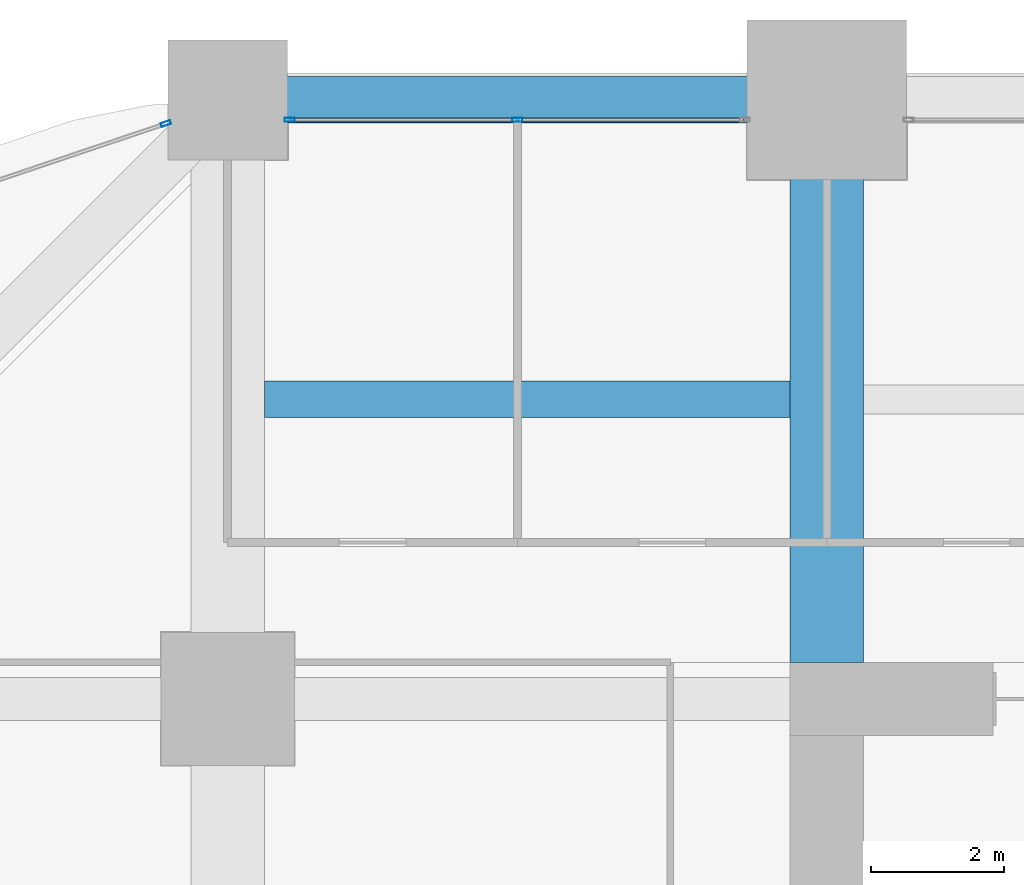
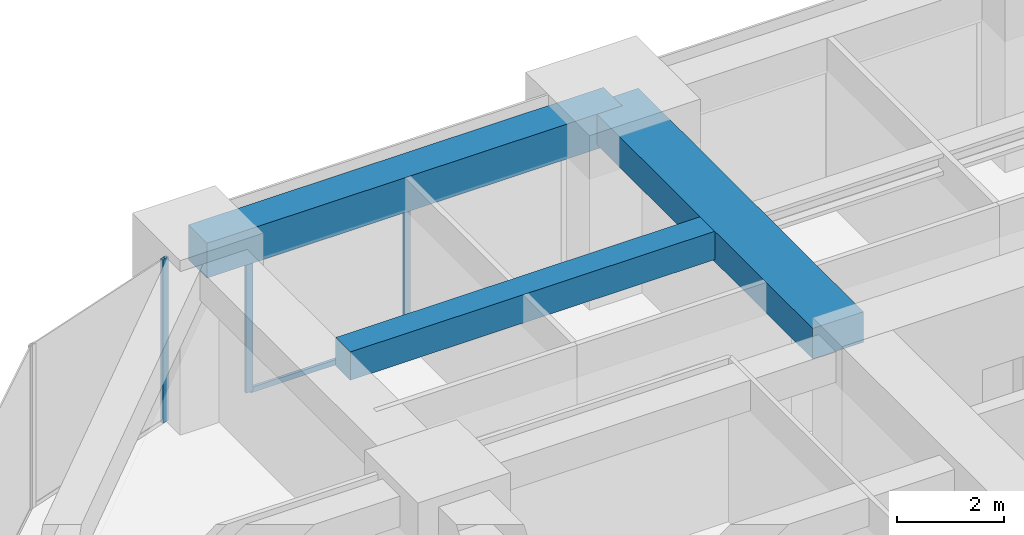
# One storey, part 27 of 40: 4 members, 3 beams, 2 elements without a shape of their own.
"""IFC4 building model written with IfcOpenShell, lengths in metres."""

import ifcopenshell
import ifcopenshell.guid

model = None  # the IFC model being written
_history = None  # IfcOwnerHistory: only IFC2X3 demands one
_inside = {}  # id of a spatial element -> (the spatial element, [elements in it])
_under = {}  # id of a project, library or spatial element -> (it, [spatial elements below it])
_declared = {}  # id of a project -> (the project, [libraries it declares])
_typed = {}  # id of a type object -> (the type object, [elements of that type])
_made_of = {}  # id of a material, layer set ... -> (it, [elements and type objects made of it])


def new_model(schema):
    """Start an empty IFC model of exactly this schema.

    Asked for "IFC4X3", IfcOpenShell would pick the latest addendum, in which some entities
    have other attributes; the version numbers below select the first issue.
    IFC2X3 requires an IfcOwnerHistory on every rooted entity: one is made here for all.
    """
    global model, _history
    if schema == "IFC4X3":
        model = ifcopenshell.file(schema_version=(4, 3, 0, 0))
    else:
        model = ifcopenshell.file(schema=schema)
    _inside.clear()
    _under.clear()
    _declared.clear()
    _typed.clear()
    _made_of.clear()
    _history = None
    if model.schema == "IFC2X3":
        org = make("IfcOrganization", Name="unknown")
        user = make(
            "IfcPersonAndOrganization",
            ThePerson=make("IfcPerson", FamilyName="unknown"),
            TheOrganization=org,
        )
        app = make(
            "IfcApplication",
            ApplicationDeveloper=org,
            Version="unknown",
            ApplicationFullName="unknown",
            ApplicationIdentifier="unknown",
        )
        _history = make(
            "IfcOwnerHistory",
            OwningUser=user,
            OwningApplication=app,
            ChangeAction="ADDED",
            CreationDate=0,
        )
    return model


def make(cls, **values):
    """One entity of the class cls with the attributes given. An attribute that is None is left unset."""
    return model.create_entity(
        cls, **{name: value for name, value in values.items() if value is not None}
    )


def rooted(cls, **values):
    """An entity with a GlobalId (a new one), such as an element, a storey or a relation."""
    return make(cls, GlobalId=ifcopenshell.guid.new(), OwnerHistory=_history, **values)


def si_unit(unit_type, name, prefix=None):
    """IfcSIUnit, for example si_unit("LENGTHUNIT", "METRE", prefix="MILLI")."""
    return make("IfcSIUnit", UnitType=unit_type, Prefix=prefix, Name=name)


def assignment(units):
    """IfcUnitAssignment: the units of a project."""
    return None if units is None else make("IfcUnitAssignment", Units=units)


def point(xyz):
    """IfcCartesianPoint."""
    return None if xyz is None else make("IfcCartesianPoint", Coordinates=xyz)


def direction(xyz):
    """IfcDirection."""
    return None if xyz is None else make("IfcDirection", DirectionRatios=xyz)


def frame(location, z_axis=None, x_axis=None):
    """IfcAxis2Placement3D, a coordinate frame: its origin and axes. An axis left out is left unset."""
    return make(
        "IfcAxis2Placement3D",
        Location=point(location),
        Axis=direction(z_axis),
        RefDirection=direction(x_axis),
    )


def frame_2d(location, x_axis=None):
    """IfcAxis2Placement2D, a coordinate frame in the plane: its origin and x axis."""
    return make(
        "IfcAxis2Placement2D", Location=point(location), RefDirection=direction(x_axis)
    )


def origin():
    """The frame at (0, 0, 0) with its axes left unset."""
    return frame((0.0, 0.0, 0.0))


def origin_2d():
    """The frame at (0, 0) in the plane with its x axis left unset."""
    return frame_2d((0.0, 0.0))


def place(relative_to, where):
    """IfcLocalPlacement: puts the frame where relative to a parent placement (None: the world)."""
    return make(
        "IfcLocalPlacement", PlacementRelTo=relative_to, RelativePlacement=where
    )


def context(
    kind, dimensions, precision=None, world=None, true_north=None, identifier=None
):
    """IfcGeometricRepresentationContext, for example the 3D "Model" context."""
    return make(
        "IfcGeometricRepresentationContext",
        ContextIdentifier=identifier,
        ContextType=kind,
        CoordinateSpaceDimension=dimensions,
        Precision=precision,
        WorldCoordinateSystem=world,
        TrueNorth=true_north,
    )


def subcontext(parent, identifier, kind, view, scale=None):
    """IfcGeometricRepresentationSubContext, for example "Body" below "Model"."""
    return make(
        "IfcGeometricRepresentationSubContext",
        ContextIdentifier=identifier,
        ContextType=kind,
        ParentContext=parent,
        TargetScale=scale,
        TargetView=view,
    )


def project(units=None, contexts=None):
    """IfcProject with its units and contexts."""
    return rooted(
        "IfcProject",
        Name="project",
        RepresentationContexts=contexts,
        UnitsInContext=assignment(units),
    )


def spatial(cls, under=None, at=None, **own):
    """A site, building, storey or space (cls), placed at a placement, below another one or the project."""
    s = rooted(cls, ObjectPlacement=at, **own)
    if under is not None:
        _under.setdefault(under.id(), (under, []))[1].append(s)
    return s


def profile(cls, at=None, kind="AREA", **sizes):
    """A parametric profile (cls). Its sizes go by their IFC names, for example OverallWidth=200.0."""
    return make(cls, ProfileType=kind, Position=at, **sizes)


def rectangle(**sizes):
    """IfcRectangleProfileDef."""
    return profile("IfcRectangleProfileDef", **sizes)


def hollow_rectangle(**sizes):
    """IfcRectangleHollowProfileDef."""
    return profile("IfcRectangleHollowProfileDef", **sizes)


def extrude(swept, where, along, depth):
    """IfcExtrudedAreaSolid: the profile swept, set in the frame where, extruded along a direction by depth."""
    return make(
        "IfcExtrudedAreaSolid",
        SweptArea=swept,
        Position=where,
        ExtrudedDirection=direction(along),
        Depth=depth,
    )


def shape(context_of_items, identifier, shape_type, items):
    """IfcShapeRepresentation: the items that make up one representation, for example the "Body"."""
    return make(
        "IfcShapeRepresentation",
        ContextOfItems=context_of_items,
        RepresentationIdentifier=identifier,
        RepresentationType=shape_type,
        Items=items,
    )


def material(Name=None, Category=None):
    """IfcMaterial."""
    return make("IfcMaterial", Name=Name, Category=Category)


def material_profile(
    of_material, cross_section, Name=None, Category=None, Priority=None
):
    """IfcMaterialProfile: a cross section and its material."""
    return make(
        "IfcMaterialProfile",
        Name=Name,
        Material=of_material,
        Profile=cross_section,
        Priority=Priority,
        Category=Category,
    )


def profile_set(profiles, Name=None, composite=None):
    """IfcMaterialProfileSet."""
    return make(
        "IfcMaterialProfileSet",
        Name=Name,
        MaterialProfiles=profiles,
        CompositeProfile=composite,
    )


def made_of(thing, what):
    """Note that an element or type object is made of a material, layer set ...; save() writes the relation."""
    if what is not None:
        _made_of.setdefault(what.id(), (what, []))[1].append(thing)
    return thing


def type_object(cls, material=None, **own):
    """A type object (cls), such as IfcWallType, which elements share."""
    return made_of(rooted(cls, **own), material)


def element(
    cls,
    number,
    at=None,
    inside=None,
    cuts=None,
    type_object=None,
    material=None,
    context=None,
    identifier="Body",
    shape_type=None,
    held_by="IfcProductDefinitionShape",
    body=None,
    shapes=None,
    **own,
):
    """One element of the class cls, such as IfcWall. Its Tag is "e" and its number.

    at: its placement. inside: the storey or other place that contains it. cuts: it is an
    opening in that element (IfcRelVoidsElement). A single representation is given by context,
    identifier, shape_type and body (its items); several are given by shapes. held_by: the class
    of the entity that holds the representations. save() writes the other relations.
    """
    e = rooted(cls, Tag="e%d" % number, ObjectPlacement=at, **own)
    if body is not None:
        shapes = [shape(context, identifier, shape_type, body)]
    if shapes is not None:
        e.Representation = make(held_by, Representations=shapes)
    if inside is not None:
        _inside.setdefault(inside.id(), (inside, []))[1].append(e)
    if cuts is not None:
        rooted(
            "IfcRelVoidsElement", RelatingBuildingElement=cuts, RelatedOpeningElement=e
        )
    if type_object is not None:
        _typed.setdefault(type_object.id(), (type_object, []))[1].append(e)
    return made_of(e, material)


def aggregate(whole, parts):
    """IfcRelAggregates: a whole, such as a stair, and the parts it consists of."""
    return rooted("IfcRelAggregates", RelatingObject=whole, RelatedObjects=parts)


def save(model, path):
    """Write the relations noted so far, then the file.

    IfcRelAggregates (storeys below a building ...), IfcRelContainedInSpatialStructure (elements
    in a storey), IfcRelDefinesByType, IfcRelAssociatesMaterial and IfcRelDeclares: one each for
    every whole, place, type object, material and project.
    """
    for whole, parts in _under.values():
        aggregate(whole, parts)
    for where, things in _inside.values():
        rooted(
            "IfcRelContainedInSpatialStructure",
            RelatedElements=things,
            RelatingStructure=where,
        )
    for kind, things in _typed.values():
        rooted("IfcRelDefinesByType", RelatedObjects=things, RelatingType=kind)
    for what, things in _made_of.values():
        rooted("IfcRelAssociatesMaterial", RelatedObjects=things, RelatingMaterial=what)
    for by, libraries in _declared.values():
        rooted("IfcRelDeclares", RelatingContext=by, RelatedDefinitions=libraries)
    model.write(path)


model = new_model("IFC4")

# Units and contexts
model_context = context("Model", 3, precision=1e-05, world=origin(), true_north=direction((0.0, 1.0)))
body_context = subcontext(model_context, "Body", "Model", "MODEL_VIEW")
ifc_project = project(units=[si_unit("LENGTHUNIT", "METRE"), si_unit("AREAUNIT", "SQUARE_METRE"), si_unit("VOLUMEUNIT", "CUBIC_METRE"), si_unit("PLANEANGLEUNIT", "RADIAN"), si_unit("MASSUNIT", "GRAM", prefix="KILO")], contexts=[model_context])

# Site, building, storey
site_placement = place(None, origin())
site = spatial("IfcSite", under=ifc_project, at=site_placement, CompositionType="ELEMENT")
building_placement = place(site_placement, origin())
building = spatial("IfcBuilding", under=site, at=building_placement, Name="Zorevar Civic Tower", CompositionType="ELEMENT")
storey_placement = place(building_placement, frame((0.0, 0.0, 93.0)))
storey = spatial("IfcBuildingStorey", under=building, at=storey_placement, Name="L22", CompositionType="ELEMENT", Elevation=93.0)

# Beams
ifc_material_1 = material(Name="Concrete C50/60", Category="concrete")
ifc_material_profile_1 = material_profile(ifc_material_1, rectangle(XDim=1.10009765625, YDim=0.699951171875, at=origin_2d()), Name="RC 1100x700")
ifc_profile_set_1 = profile_set([ifc_material_profile_1], Name="Concrete C50/60")
beam_type_1 = type_object("IfcBeamType", Name="Beam RC 1100x700", PredefinedType="BEAM", material=ifc_profile_set_1)
beam_1_placement = place(storey_placement, frame((18.0, 36.550048828125, 3.39990234375), z_axis=(0.0, 1.0, 0.0), x_axis=(-1.0, 0.0, 0.0)))
element("IfcBeam", 1, at=beam_1_placement, inside=storey, type_object=beam_type_1, Name="Girder L23", PredefinedType="BEAM", context=body_context, shape_type="SweptSolid", body=[
    extrude(rectangle(XDim=1.10009765625, YDim=0.699951171875, at=origin_2d()), origin(), (0.0, 0.0, 1.0), 8.449951171875),
])
ifc_material_2 = material(Name="Concrete C50/60", Category="concrete")
ifc_material_profile_2 = material_profile(ifc_material_2, rectangle(XDim=0.550048828125, YDim=0.64990234375, at=origin_2d()), Name="RC 550x650")
ifc_profile_set_2 = profile_set([ifc_material_profile_2], Name="Concrete C50/60")
beam_type_2 = type_object("IfcBeamType", Name="Beam RC 550x650", PredefinedType="BEAM", material=ifc_profile_set_2)
beam_2_placement = place(storey_placement, frame((9.550048828125, 40.5, 3.425048828125), z_axis=(1.0, 0.0, 0.0), x_axis=(0.0, 1.0, 0.0)))
element("IfcBeam", 2, at=beam_2_placement, inside=storey, type_object=beam_type_2, Name="Secondary beam L23", PredefinedType="BEAM", context=body_context, shape_type="SweptSolid", body=[
    extrude(rectangle(XDim=0.550048828125, YDim=0.64990234375, at=origin_2d()), origin(), (0.0, 0.0, 1.0), 7.89990234375),
])

# Curtain wall, members
ifc_material_3 = material(Name="Dark grey solar-control glass in black aluminium frame", Category="aluminium")
curtain_wall_type = type_object("IfcCurtainWallType", Name="Curtain wall CW3 mid zone", PredefinedType="NOTDEFINED", material=ifc_material_3)
curtain_wall_1_placement = place(storey_placement, origin())
curtain_wall_1 = element("IfcCurtainWall", 3, at=curtain_wall_1_placement, inside=storey, type_object=curtain_wall_type, Name="CW3 L22", PredefinedType="NOTDEFINED")
ifc_material_4 = material(Name="Aluminium, black anodised", Category="aluminium")
ifc_material_profile_3 = material_profile(ifc_material_4, hollow_rectangle(XDim=0.06005859375, YDim=0.14990234375, WallThickness=0.00390625, at=origin_2d()), Name="AL 150x60x4")
ifc_profile_set_3 = profile_set([ifc_material_profile_3], Name="Aluminium, black anodised")
member_type_1 = type_object("IfcMemberType", Name="CW3 mullion AL 150x60x4", PredefinedType="MULLION", material=ifc_profile_set_3)
member_1_placement = place(storey_placement, frame((9.929931640625, 44.699951171875, 0.0), z_axis=(0.0, 0.0, 1.0), x_axis=(0.0, 1.0, 0.0)))
member_1 = element("IfcMember", 4, at=member_1_placement, type_object=member_type_1, Name="CW3 mullion 1", PredefinedType="MULLION", context=body_context, shape_type="SweptSolid", body=[
    extrude(hollow_rectangle(XDim=0.06005859375, YDim=0.14990234375, WallThickness=0.00390625, at=origin_2d()), origin(), (0.0, 0.0, 1.0), 2.949951171875),
])
member_2_placement = place(storey_placement, frame((13.35009765625, 44.699951171875, 0.06005859375), z_axis=(0.0, 0.0, 1.0), x_axis=(0.0, 1.0, 0.0)))
member_2 = element("IfcMember", 5, at=member_2_placement, type_object=member_type_1, Name="CW3 mullion 2", PredefinedType="MULLION", context=body_context, shape_type="SweptSolid", body=[
    extrude(hollow_rectangle(XDim=0.06005859375, YDim=0.14990234375, WallThickness=0.00390625, at=origin_2d()), origin(), (0.0, 0.0, 1.0), 2.889892578125),
])

# Curtain wall, member
curtain_wall_2_placement = place(storey_placement, origin())
curtain_wall_2 = element("IfcCurtainWall", 6, at=curtain_wall_2_placement, inside=storey, type_object=curtain_wall_type, Name="CW3 L22", PredefinedType="NOTDEFINED")
member_3_placement = place(storey_placement, frame((8.071533203125, 44.643798828125, 0.0), z_axis=(0.0, 0.0, 1.0), x_axis=(0.319412525043, -0.947615765406, 0.0)))
member_3 = element("IfcMember", 7, at=member_3_placement, type_object=member_type_1, Name="CW3 mullion 1", PredefinedType="MULLION", context=body_context, shape_type="SweptSolid", body=[
    extrude(hollow_rectangle(XDim=0.06005859375, YDim=0.14990234375, WallThickness=0.00390625, at=origin_2d()), origin(), (0.0, 0.0, 1.0), 3.75),
])
aggregate(curtain_wall_2, [member_3])

# Member
ifc_material_5 = material(Name="Aluminium, black anodised", Category="aluminium")
ifc_material_profile_4 = material_profile(ifc_material_5, hollow_rectangle(XDim=0.06005859375, YDim=0.1201171875, WallThickness=0.0029296875, at=origin_2d()), Name="AL 120x60x3")
ifc_profile_set_4 = profile_set([ifc_material_profile_4], Name="Aluminium, black anodised")
member_type_2 = type_object("IfcMemberType", Name="CW3 transom AL 120x60x3", PredefinedType="USERDEFINED", material=ifc_profile_set_4)
member_4_placement = place(storey_placement, frame((9.9599609375, 44.699951171875, 0.030029296875), z_axis=(1.0, 0.0, 0.0), x_axis=(0.0, 1.0, 0.0)))
member_4 = element("IfcMember", 8, at=member_4_placement, type_object=member_type_2, Name="CW3 sill transom", ObjectType="TRANSOM", PredefinedType="USERDEFINED", context=body_context, shape_type="SweptSolid", body=[
    extrude(hollow_rectangle(XDim=0.06005859375, YDim=0.1201171875, WallThickness=0.0029296875, at=origin_2d()), origin(), (0.0, 0.0, 1.0), 6.780029296875),
])

aggregate(curtain_wall_1, [member_1, member_2, member_4])

# Beam
ifc_material_6 = material(Name="Concrete C50/60", Category="concrete")
ifc_material_profile_5 = material_profile(ifc_material_6, rectangle(XDim=0.699951171875, YDim=0.800048828125, at=origin_2d()), Name="RC 700x800")
ifc_profile_set_5 = profile_set([ifc_material_profile_5], Name="Concrete C50/60")
beam_type_3 = type_object("IfcBeamType", Name="Edge beam RC 700x800", PredefinedType="SPANDREL", material=ifc_profile_set_5)
beam_3_placement = place(storey_placement, frame((9.0, 45.0, 3.35009765625), z_axis=(1.0, 0.0, 0.0), x_axis=(0.0, 1.0, 0.0)))
element("IfcBeam", 9, at=beam_3_placement, inside=storey, type_object=beam_type_3, Name="Edge beam L23", PredefinedType="SPANDREL", context=body_context, shape_type="SweptSolid", body=[
    extrude(rectangle(XDim=0.699951171875, YDim=0.800048828125, at=origin_2d()), origin(), (0.0, 0.0, 1.0), 9.0),
])

save(model, "model.ifc")
